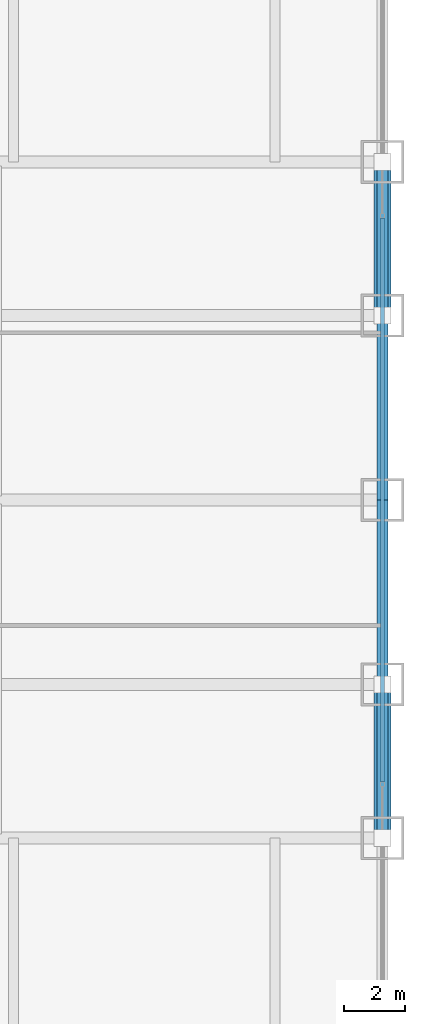
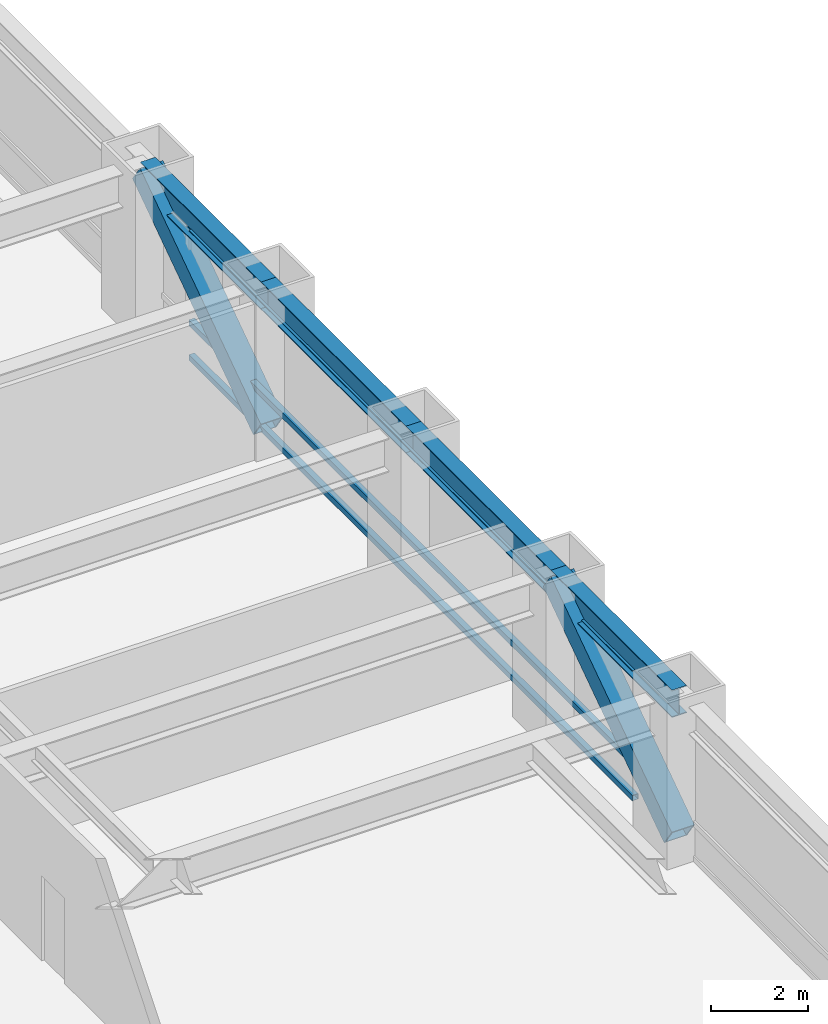
# One storey, part 17 of 31: 5 members, 4 beams, 1 element without a shape of its own.
"""IFC4 building model written with IfcOpenShell, lengths in metres."""

from ifc_helpers import new_model, si_unit, direction, frame, origin, origin_2d, place, context, subcontext, project, spatial, hollow_rectangle, i_section, extrude, source, transform, mapped, material, material_profile, profile_set, type_object, element, aggregate, save


model = new_model("IFC4")

# Units and contexts
model_context = context("Model", 3, precision=1e-05, world=origin(), true_north=direction((0.0, 1.0)))
body_context = subcontext(model_context, "Body", "Model", "MODEL_VIEW")
ifc_project = project(units=[si_unit("LENGTHUNIT", "METRE"), si_unit("AREAUNIT", "SQUARE_METRE"), si_unit("VOLUMEUNIT", "CUBIC_METRE"), si_unit("PLANEANGLEUNIT", "RADIAN"), si_unit("MASSUNIT", "GRAM", prefix="KILO")], contexts=[model_context])

# Site, building, storey
site_placement = place(None, origin())
site = spatial("IfcSite", under=ifc_project, at=site_placement, CompositionType="ELEMENT")
building_placement = place(site_placement, origin())
building = spatial("IfcBuilding", under=site, at=building_placement, Name="Khorayat Bourse Tower", CompositionType="ELEMENT")
storey_placement = place(building_placement, frame((0.0, 0.0, 32.60009765625)))
storey = spatial("IfcBuildingStorey", under=building, at=storey_placement, Name="L06", CompositionType="ELEMENT", Elevation=32.60009765625)

# Beams
ifc_material_1 = material(Name="Steel ASTM A992 Grade 50", Category="steel")
ifc_material_profile_1 = material_profile(ifc_material_1, i_section(OverallWidth=0.35498046875, OverallDepth=0.695068359375, WebThickness=0.015380859375, FlangeThickness=0.02490234375, FilletRadius=0.01806640625, at=origin_2d()), Name="W690X217")
ifc_profile_set_1 = profile_set([ifc_material_profile_1], Name="Steel ASTM A992 Grade 50")
beam_type = type_object("IfcBeamType", Name="BM-SPAN-690", PredefinedType="SPANDREL", material=ifc_profile_set_1)
shared_shape_1 = source(origin(), body_context, "Body", "SweptSolid", [
    extrude(i_section(OverallWidth=0.35498046875, OverallDepth=0.695068359375, WebThickness=0.015380859375, FlangeThickness=0.02490234375, FilletRadius=0.01806640625, at=origin_2d()), origin(), (0.0, 0.0, 1.0), 5.0),
])
for number, where, z_axis, x_axis, name in (
    (1, (32.0, -11.0, 3.59228515625), (0.0, 1.0, 0.0), (-1.0, 0.0, 0.0), "L06 BM-SPAN-690 BM-L06-SPN-036"),
    (2, (32.0, 6.0, 3.59228515625), (0.0, 1.0, 0.0), (-1.0, 0.0, 0.0), "L06 BM-SPAN-690 BM-L06-SPN-039"),
):
    element("IfcBeam", number, at=place(storey_placement, frame(where, z_axis=z_axis, x_axis=x_axis)), inside=storey, type_object=beam_type, Name=name, PredefinedType="SPANDREL", context=body_context, shape_type="MappedRepresentation", body=[
        mapped(shared_shape_1, transform((0.0, 0.0, 0.0), scale=1.0)),
    ])
shared_shape_2 = source(origin(), body_context, "Body", "SweptSolid", [
    extrude(i_section(OverallWidth=0.35498046875, OverallDepth=0.695068359375, WebThickness=0.015380859375, FlangeThickness=0.02490234375, FilletRadius=0.01806640625, at=origin_2d()), origin(), (0.0, 0.0, 1.0), 6.0),
])
for number, where, z_axis, x_axis, name in (
    (3, (32.0, -6.0, 3.59228515625), (0.0, 1.0, 0.0), (-1.0, 0.0, 0.0), "L06 BM-SPAN-690 BM-L06-SPN-037"),
    (4, (32.0, 0.0, 3.59228515625), (0.0, 1.0, 0.0), (-1.0, 0.0, 0.0), "L06 BM-SPAN-690 BM-L06-SPN-038"),
):
    element("IfcBeam", number, at=place(storey_placement, frame(where, z_axis=z_axis, x_axis=x_axis)), inside=storey, type_object=beam_type, Name=name, PredefinedType="SPANDREL", context=body_context, shape_type="MappedRepresentation", body=[
        mapped(shared_shape_2, transform((0.0, 0.0, 0.0), scale=1.0)),
    ])

# Members
ifc_material_2 = material(Name="Steel EN 10025-4 S460M", Category="steel")
ifc_material_profile_2 = material_profile(ifc_material_2, hollow_rectangle(XDim=0.550048828125, YDim=0.550048828125, WallThickness=0.031982421875, at=origin_2d()), Name="HSS 550x550x32")
ifc_profile_set_2 = profile_set([ifc_material_profile_2], Name="Steel EN 10025-4 S460M")
member_type_1 = type_object("IfcMemberType", Name="MBR-TUBE-550", PredefinedType="BRACE", material=ifc_profile_set_2)
shared_shape_3 = source(origin(), body_context, "Body", "SweptSolid", [
    extrude(hollow_rectangle(XDim=0.550048828125, YDim=0.550048828125, WallThickness=0.031982421875, at=origin_2d()), origin(), (0.0, 0.0, 1.0), 6.069091796875),
])
for number, where, z_axis, x_axis, name in (
    (5, (32.0, -11.0, 0.25), (0.0, 0.823854080622, 0.566801952928), (-1.0, 0.0, 0.0), "L06 Perimeter Tube Brace 07"),
    (6, (32.0, 6.0, 0.25), (0.0, 0.823854080622, 0.566801952928), (-1.0, 0.0, 0.0), "L06 Perimeter Tube Brace 08"),
):
    element("IfcMember", number, at=place(storey_placement, frame(where, z_axis=z_axis, x_axis=x_axis)), inside=storey, type_object=member_type_1, Name=name, PredefinedType="BRACE", context=body_context, shape_type="MappedRepresentation", body=[
        mapped(shared_shape_3, transform((0.0, 0.0, 0.0), scale=1.0)),
    ])

# Curtain wall, members
ifc_material_3 = material(Name="Aluminium EN AW-6063 T6", Category="aluminium")
curtain_wall_type = type_object("IfcCurtainWallType", Name="CW-SYS-02", PredefinedType="NOTDEFINED", material=ifc_material_3)
curtain_wall_placement = place(storey_placement, origin())
curtain_wall = element("IfcCurtainWall", 7, at=curtain_wall_placement, inside=storey, type_object=curtain_wall_type, Name="L06 Curtain Wall CW-L06-E1", PredefinedType="NOTDEFINED")
ifc_material_profile_3 = material_profile(ifc_material_3, hollow_rectangle(XDim=0.139892578125, YDim=0.139892578125, WallThickness=0.006103515625, at=origin_2d()), Name="ALU 140x140x6")
ifc_profile_set_3 = profile_set([ifc_material_profile_3], Name="Aluminium EN AW-6063 T6")
member_type_2 = type_object("IfcMemberType", Name="CWT-HORZ-140", PredefinedType="USERDEFINED", material=ifc_profile_set_3)
shared_shape_4 = source(origin(), body_context, "Body", "SweptSolid", [
    extrude(hollow_rectangle(XDim=0.139892578125, YDim=0.139892578125, WallThickness=0.006103515625, at=origin_2d()), origin(), (0.0, 0.0, 1.0), 18.35986328125),
])
member_1_placement = place(storey_placement, frame((32.0, -9.179931640625, 0.06982421875), z_axis=(0.0, 1.0, 0.0), x_axis=(-1.0, 0.0, 0.0)))
member_1 = element("IfcMember", 8, at=member_1_placement, type_object=member_type_2, Name="CW-L06-E1 Horizontal Transom 2-1", ObjectType="TRANSOM", PredefinedType="USERDEFINED", context=body_context, shape_type="MappedRepresentation", body=[
    mapped(shared_shape_4, transform((0.0, 0.0, 0.0), scale=1.0)),
])
member_2_placement = place(storey_placement, frame((32.0, -9.179931640625, 0.949951171875), z_axis=(0.0, 1.0, 0.0), x_axis=(-1.0, 0.0, 0.0)))
member_2 = element("IfcMember", 9, at=member_2_placement, type_object=member_type_2, Name="CW-L06-E1 Horizontal Transom 2-2", ObjectType="TRANSOM", PredefinedType="USERDEFINED", context=body_context, shape_type="MappedRepresentation", body=[
    mapped(shared_shape_4, transform((0.0, 0.0, 0.0), scale=1.0)),
])
member_3_placement = place(storey_placement, frame((32.0, -9.179931640625, 3.219970703125), z_axis=(0.0, 1.0, 0.0), x_axis=(-1.0, 0.0, 0.0)))
member_3 = element("IfcMember", 10, at=member_3_placement, type_object=member_type_2, Name="CW-L06-E1 Horizontal Transom 2-3", ObjectType="TRANSOM", PredefinedType="USERDEFINED", context=body_context, shape_type="MappedRepresentation", body=[
    mapped(shared_shape_4, transform((0.0, 0.0, 0.0), scale=1.0)),
])
aggregate(curtain_wall, [member_1, member_2, member_3])

save(model, "model.ifc")
